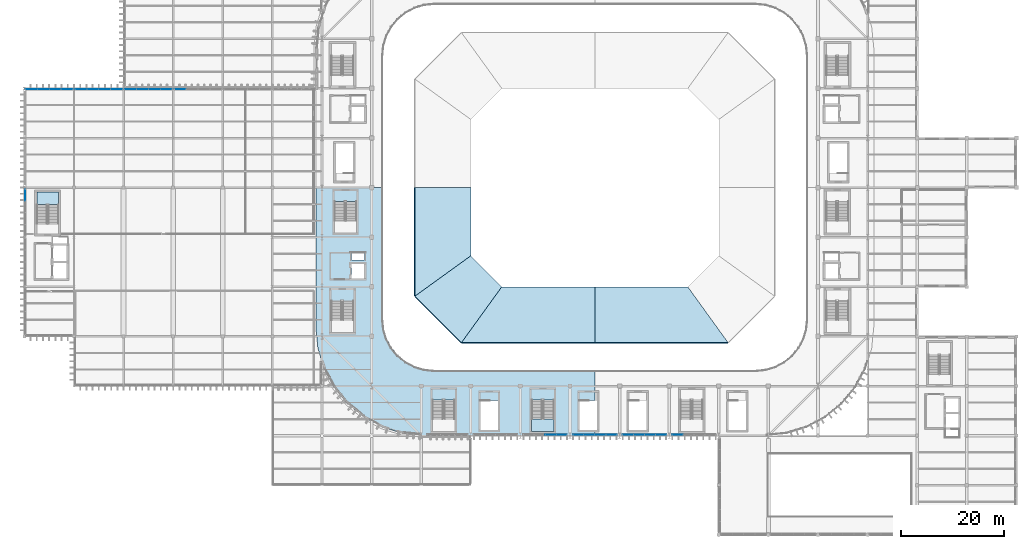
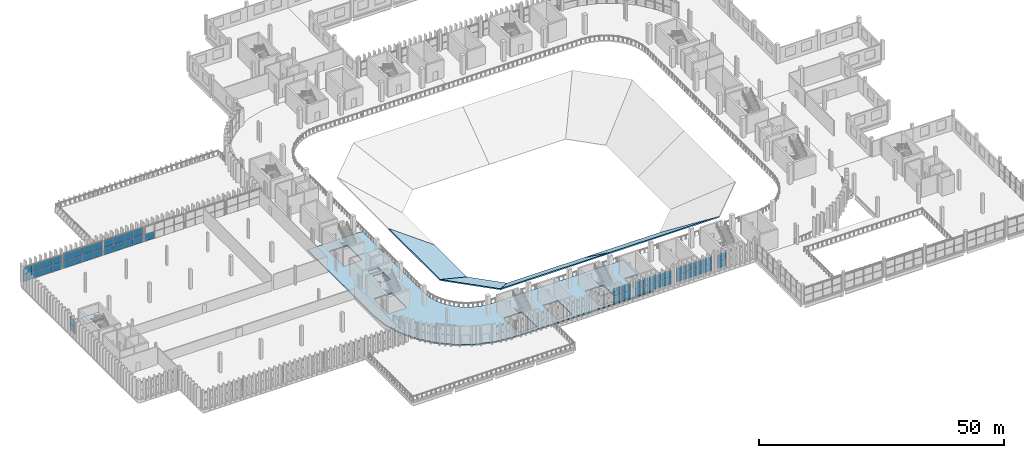
# One storey, part 51 of 99: 49 plates, 7 slabs, 11 elements without a shape of their own.
"""IFC4 building model written with IfcOpenShell, lengths in metres."""

from ifc_helpers import new_model, si_unit, direction, frame, origin, origin_2d, place, context, subcontext, project, spatial, polyline, rectangle, outline, extrude, material, layer, layer_set, type_object, element, aggregate, save


model = new_model("IFC4")

# Units and contexts
model_context = context("Model", 3, precision=1e-05, world=origin(), true_north=direction((0.0, 1.0)))
body_context = subcontext(model_context, "Body", "Model", "MODEL_VIEW")
ifc_project = project(units=[si_unit("LENGTHUNIT", "METRE"), si_unit("AREAUNIT", "SQUARE_METRE"), si_unit("VOLUMEUNIT", "CUBIC_METRE"), si_unit("PLANEANGLEUNIT", "RADIAN"), si_unit("MASSUNIT", "GRAM", prefix="KILO")], contexts=[model_context])

# Site, building, storey
site_placement = place(None, origin())
site = spatial("IfcSite", under=ifc_project, at=site_placement, CompositionType="ELEMENT")
building_placement = place(site_placement, origin())
building = spatial("IfcBuilding", under=site, at=building_placement, Name="Caelomonte Colonnade Arena", CompositionType="ELEMENT")
storey_placement = place(building_placement, frame((0.0, 0.0, 4.800048828125)))
storey = spatial("IfcBuildingStorey", under=building, at=storey_placement, Name="L01", CompositionType="ELEMENT", Elevation=4.800048828125)

# Curtain wall, plates
ifc_material_1 = material(Name="Bronze anodised aluminium and low-E glazing", Category="aluminium")
ifc_layer_1 = layer(ifc_material_1, 0.179931640625)
ifc_layer_set_1 = layer_set([ifc_layer_1], Name="Bronze anodised aluminium and low-E glazing")
curtain_wall_type_1 = type_object("IfcCurtainWallType", Name="ENV-CW-CW-L01-96-36", PredefinedType="USERDEFINED", material=ifc_layer_set_1)
curtain_wall_1_placement = place(storey_placement, origin())
curtain_wall_1 = element("IfcCurtainWall", 1, at=curtain_wall_1_placement, inside=storey, type_object=curtain_wall_type_1, Name="L01 unitized curtain wall CW-L01-1008-0194", ObjectType="UNITIZED CURTAIN WALL", PredefinedType="USERDEFINED")
ifc_material_2 = material(Name="Solar-control bronze low-E double glazing", Category="glass")
ifc_layer_2 = layer(ifc_material_2, 0.028076171875)
ifc_layer_set_2 = layer_set([ifc_layer_2], Name="Solar-control bronze low-E double glazing")
plate_type = type_object("IfcPlateType", Name="ENV-CW-PAN28", PredefinedType="CURTAIN_PANEL", material=ifc_layer_set_2)
plate_1_placement = place(storey_placement, frame((101.86865234375, 19.3798828125, 0.070068359375), z_axis=(0.0, 0.0, 1.0), x_axis=(1.0, 0.0, 0.0)))
plate_1 = element("IfcPlate", 2, at=plate_1_placement, type_object=plate_type, Name="CW-L01-96-36 panel 3.1", PredefinedType="CURTAIN_PANEL", context=body_context, shape_type="SweptSolid", body=[
    extrude(rectangle(XDim=2.067138671875, YDim=0.028076171875, at=origin_2d()), origin(), (0.0, 0.0, 1.0), 1.69140625),
])
plate_2_placement = place(storey_placement, frame((101.86865234375, 19.3798828125, 1.83154296875), z_axis=(0.0, 0.0, 1.0), x_axis=(1.0, 0.0, 0.0)))
plate_2 = element("IfcPlate", 3, at=plate_2_placement, type_object=plate_type, Name="CW-L01-96-36 panel 3.2", PredefinedType="CURTAIN_PANEL", context=body_context, shape_type="SweptSolid", body=[
    extrude(rectangle(XDim=2.067138671875, YDim=0.028076171875, at=origin_2d()), origin(), (0.0, 0.0, 1.0), 1.69140625),
])
plate_3_placement = place(storey_placement, frame((103.98828125, 19.3798828125, 0.070068359375), z_axis=(0.0, 0.0, 1.0), x_axis=(1.0, 0.0, 0.0)))
plate_3 = element("IfcPlate", 4, at=plate_3_placement, type_object=plate_type, Name="CW-L01-96-36 panel 4.1", PredefinedType="CURTAIN_PANEL", context=body_context, shape_type="SweptSolid", body=[
    extrude(rectangle(XDim=2.0322265625, YDim=0.028076171875, at=origin_2d()), origin(), (0.0, 0.0, 1.0), 1.69140625),
])
plate_4_placement = place(storey_placement, frame((103.98828125, 19.3798828125, 1.83154296875), z_axis=(0.0, 0.0, 1.0), x_axis=(1.0, 0.0, 0.0)))
plate_4 = element("IfcPlate", 5, at=plate_4_placement, type_object=plate_type, Name="CW-L01-96-36 panel 4.2", PredefinedType="CURTAIN_PANEL", context=body_context, shape_type="SweptSolid", body=[
    extrude(rectangle(XDim=2.0322265625, YDim=0.028076171875, at=origin_2d()), origin(), (0.0, 0.0, 1.0), 1.69140625),
])
aggregate(curtain_wall_1, [plate_1, plate_2, plate_3, plate_4])

curtain_wall_2_placement = place(storey_placement, origin())
curtain_wall_2 = element("IfcCurtainWall", 6, at=curtain_wall_2_placement, inside=storey, type_object=curtain_wall_type_1, Name="L01 unitized curtain wall CW-L01-1104-0194", ObjectType="UNITIZED CURTAIN WALL", PredefinedType="USERDEFINED")
plate_5_placement = place(storey_placement, frame((107.211669921875, 19.3798828125, 0.070068359375), z_axis=(0.0, 0.0, 1.0), x_axis=(1.0, 0.0, 0.0)))
plate_5 = element("IfcPlate", 7, at=plate_5_placement, type_object=plate_type, Name="CW-L01-96-36 panel 1.1", PredefinedType="CURTAIN_PANEL", context=body_context, shape_type="SweptSolid", body=[
    extrude(rectangle(XDim=2.0322265625, YDim=0.028076171875, at=origin_2d()), origin(), (0.0, 0.0, 1.0), 1.69140625),
])
plate_6_placement = place(storey_placement, frame((107.211669921875, 19.3798828125, 1.83154296875), z_axis=(0.0, 0.0, 1.0), x_axis=(1.0, 0.0, 0.0)))
plate_6 = element("IfcPlate", 8, at=plate_6_placement, type_object=plate_type, Name="CW-L01-96-36 panel 1.2", PredefinedType="CURTAIN_PANEL", context=body_context, shape_type="SweptSolid", body=[
    extrude(rectangle(XDim=2.0322265625, YDim=0.028076171875, at=origin_2d()), origin(), (0.0, 0.0, 1.0), 1.69140625),
])
plate_7_placement = place(storey_placement, frame((109.331298828125, 19.3798828125, 0.070068359375), z_axis=(0.0, 0.0, 1.0), x_axis=(1.0, 0.0, 0.0)))
plate_7 = element("IfcPlate", 9, at=plate_7_placement, type_object=plate_type, Name="CW-L01-96-36 panel 2.1", PredefinedType="CURTAIN_PANEL", context=body_context, shape_type="SweptSolid", body=[
    extrude(rectangle(XDim=2.067138671875, YDim=0.028076171875, at=origin_2d()), origin(), (0.0, 0.0, 1.0), 1.69140625),
])
plate_8_placement = place(storey_placement, frame((109.331298828125, 19.3798828125, 1.83154296875), z_axis=(0.0, 0.0, 1.0), x_axis=(1.0, 0.0, 0.0)))
plate_8 = element("IfcPlate", 10, at=plate_8_placement, type_object=plate_type, Name="CW-L01-96-36 panel 2.2", PredefinedType="CURTAIN_PANEL", context=body_context, shape_type="SweptSolid", body=[
    extrude(rectangle(XDim=2.067138671875, YDim=0.028076171875, at=origin_2d()), origin(), (0.0, 0.0, 1.0), 1.69140625),
])
plate_9_placement = place(storey_placement, frame((111.468505859375, 19.3798828125, 0.070068359375), z_axis=(0.0, 0.0, 1.0), x_axis=(1.0, 0.0, 0.0)))
plate_9 = element("IfcPlate", 11, at=plate_9_placement, type_object=plate_type, Name="CW-L01-96-36 panel 3.1", PredefinedType="CURTAIN_PANEL", context=body_context, shape_type="SweptSolid", body=[
    extrude(rectangle(XDim=2.067138671875, YDim=0.028076171875, at=origin_2d()), origin(), (0.0, 0.0, 1.0), 1.69140625),
])
plate_10_placement = place(storey_placement, frame((111.468505859375, 19.3798828125, 1.83154296875), z_axis=(0.0, 0.0, 1.0), x_axis=(1.0, 0.0, 0.0)))
plate_10 = element("IfcPlate", 12, at=plate_10_placement, type_object=plate_type, Name="CW-L01-96-36 panel 3.2", PredefinedType="CURTAIN_PANEL", context=body_context, shape_type="SweptSolid", body=[
    extrude(rectangle(XDim=2.067138671875, YDim=0.028076171875, at=origin_2d()), origin(), (0.0, 0.0, 1.0), 1.69140625),
])
plate_11_placement = place(storey_placement, frame((113.58837890625, 19.3798828125, 0.070068359375), z_axis=(0.0, 0.0, 1.0), x_axis=(1.0, 0.0, 0.0)))
plate_11 = element("IfcPlate", 13, at=plate_11_placement, type_object=plate_type, Name="CW-L01-96-36 panel 4.1", PredefinedType="CURTAIN_PANEL", context=body_context, shape_type="SweptSolid", body=[
    extrude(rectangle(XDim=2.0322265625, YDim=0.028076171875, at=origin_2d()), origin(), (0.0, 0.0, 1.0), 1.69140625),
])
plate_12_placement = place(storey_placement, frame((113.58837890625, 19.3798828125, 1.83154296875), z_axis=(0.0, 0.0, 1.0), x_axis=(1.0, 0.0, 0.0)))
plate_12 = element("IfcPlate", 14, at=plate_12_placement, type_object=plate_type, Name="CW-L01-96-36 panel 4.2", PredefinedType="CURTAIN_PANEL", context=body_context, shape_type="SweptSolid", body=[
    extrude(rectangle(XDim=2.0322265625, YDim=0.028076171875, at=origin_2d()), origin(), (0.0, 0.0, 1.0), 1.69140625),
])
aggregate(curtain_wall_2, [plate_5, plate_6, plate_7, plate_8, plate_9, plate_10, plate_11, plate_12])

curtain_wall_3_placement = place(storey_placement, origin())
curtain_wall_3 = element("IfcCurtainWall", 15, at=curtain_wall_3_placement, inside=storey, type_object=curtain_wall_type_1, Name="L01 unitized curtain wall CW-L01-1200-0194", ObjectType="UNITIZED CURTAIN WALL", PredefinedType="USERDEFINED")
plate_13_placement = place(storey_placement, frame((116.8115234375, 19.3798828125, 0.070068359375), z_axis=(0.0, 0.0, 1.0), x_axis=(1.0, 0.0, 0.0)))
plate_13 = element("IfcPlate", 16, at=plate_13_placement, type_object=plate_type, Name="CW-L01-96-36 panel 1.1", PredefinedType="CURTAIN_PANEL", context=body_context, shape_type="SweptSolid", body=[
    extrude(rectangle(XDim=2.0322265625, YDim=0.028076171875, at=origin_2d()), origin(), (0.0, 0.0, 1.0), 1.69140625),
])
plate_14_placement = place(storey_placement, frame((116.8115234375, 19.3798828125, 1.83154296875), z_axis=(0.0, 0.0, 1.0), x_axis=(1.0, 0.0, 0.0)))
plate_14 = element("IfcPlate", 17, at=plate_14_placement, type_object=plate_type, Name="CW-L01-96-36 panel 1.2", PredefinedType="CURTAIN_PANEL", context=body_context, shape_type="SweptSolid", body=[
    extrude(rectangle(XDim=2.0322265625, YDim=0.028076171875, at=origin_2d()), origin(), (0.0, 0.0, 1.0), 1.69140625),
])
plate_15_placement = place(storey_placement, frame((118.931396484375, 19.3798828125, 0.070068359375), z_axis=(0.0, 0.0, 1.0), x_axis=(1.0, 0.0, 0.0)))
plate_15 = element("IfcPlate", 18, at=plate_15_placement, type_object=plate_type, Name="CW-L01-96-36 panel 2.1", PredefinedType="CURTAIN_PANEL", context=body_context, shape_type="SweptSolid", body=[
    extrude(rectangle(XDim=2.067138671875, YDim=0.028076171875, at=origin_2d()), origin(), (0.0, 0.0, 1.0), 1.69140625),
])
plate_16_placement = place(storey_placement, frame((118.931396484375, 19.3798828125, 1.83154296875), z_axis=(0.0, 0.0, 1.0), x_axis=(1.0, 0.0, 0.0)))
plate_16 = element("IfcPlate", 19, at=plate_16_placement, type_object=plate_type, Name="CW-L01-96-36 panel 2.2", PredefinedType="CURTAIN_PANEL", context=body_context, shape_type="SweptSolid", body=[
    extrude(rectangle(XDim=2.067138671875, YDim=0.028076171875, at=origin_2d()), origin(), (0.0, 0.0, 1.0), 1.69140625),
])
plate_17_placement = place(storey_placement, frame((121.068603515625, 19.3798828125, 0.070068359375), z_axis=(0.0, 0.0, 1.0), x_axis=(1.0, 0.0, 0.0)))
plate_17 = element("IfcPlate", 20, at=plate_17_placement, type_object=plate_type, Name="CW-L01-96-36 panel 3.1", PredefinedType="CURTAIN_PANEL", context=body_context, shape_type="SweptSolid", body=[
    extrude(rectangle(XDim=2.067138671875, YDim=0.028076171875, at=origin_2d()), origin(), (0.0, 0.0, 1.0), 1.69140625),
])
plate_18_placement = place(storey_placement, frame((121.068603515625, 19.3798828125, 1.83154296875), z_axis=(0.0, 0.0, 1.0), x_axis=(1.0, 0.0, 0.0)))
plate_18 = element("IfcPlate", 21, at=plate_18_placement, type_object=plate_type, Name="CW-L01-96-36 panel 3.2", PredefinedType="CURTAIN_PANEL", context=body_context, shape_type="SweptSolid", body=[
    extrude(rectangle(XDim=2.067138671875, YDim=0.028076171875, at=origin_2d()), origin(), (0.0, 0.0, 1.0), 1.69140625),
])
plate_19_placement = place(storey_placement, frame((123.1884765625, 19.3798828125, 0.070068359375), z_axis=(0.0, 0.0, 1.0), x_axis=(1.0, 0.0, 0.0)))
plate_19 = element("IfcPlate", 22, at=plate_19_placement, type_object=plate_type, Name="CW-L01-96-36 panel 4.1", PredefinedType="CURTAIN_PANEL", context=body_context, shape_type="SweptSolid", body=[
    extrude(rectangle(XDim=2.0322265625, YDim=0.028076171875, at=origin_2d()), origin(), (0.0, 0.0, 1.0), 1.69140625),
])
plate_20_placement = place(storey_placement, frame((123.1884765625, 19.3798828125, 1.83154296875), z_axis=(0.0, 0.0, 1.0), x_axis=(1.0, 0.0, 0.0)))
plate_20 = element("IfcPlate", 23, at=plate_20_placement, type_object=plate_type, Name="CW-L01-96-36 panel 4.2", PredefinedType="CURTAIN_PANEL", context=body_context, shape_type="SweptSolid", body=[
    extrude(rectangle(XDim=2.0322265625, YDim=0.028076171875, at=origin_2d()), origin(), (0.0, 0.0, 1.0), 1.69140625),
])
aggregate(curtain_wall_3, [plate_13, plate_14, plate_15, plate_16, plate_17, plate_18, plate_19, plate_20])

curtain_wall_4_placement = place(storey_placement, origin())
curtain_wall_4 = element("IfcCurtainWall", 24, at=curtain_wall_4_placement, inside=storey, type_object=curtain_wall_type_1, Name="L01 unitized curtain wall CW-L01-1296-0194", ObjectType="UNITIZED CURTAIN WALL", PredefinedType="USERDEFINED")
plate_21_placement = place(storey_placement, frame((126.41162109375, 19.3798828125, 0.070068359375), z_axis=(0.0, 0.0, 1.0), x_axis=(1.0, 0.0, 0.0)))
plate_21 = element("IfcPlate", 25, at=plate_21_placement, type_object=plate_type, Name="CW-L01-96-36 panel 1.1", PredefinedType="CURTAIN_PANEL", context=body_context, shape_type="SweptSolid", body=[
    extrude(rectangle(XDim=2.0322265625, YDim=0.028076171875, at=origin_2d()), origin(), (0.0, 0.0, 1.0), 1.69140625),
])
plate_22_placement = place(storey_placement, frame((126.41162109375, 19.3798828125, 1.83154296875), z_axis=(0.0, 0.0, 1.0), x_axis=(1.0, 0.0, 0.0)))
plate_22 = element("IfcPlate", 26, at=plate_22_placement, type_object=plate_type, Name="CW-L01-96-36 panel 1.2", PredefinedType="CURTAIN_PANEL", context=body_context, shape_type="SweptSolid", body=[
    extrude(rectangle(XDim=2.0322265625, YDim=0.028076171875, at=origin_2d()), origin(), (0.0, 0.0, 1.0), 1.69140625),
])
aggregate(curtain_wall_4, [plate_21, plate_22])

# Curtain wall, plate
ifc_layer_3 = layer(ifc_material_1, 0.179931640625)
ifc_layer_set_3 = layer_set([ifc_layer_3], Name="Bronze anodised aluminium and low-E glazing")
curtain_wall_type_2 = type_object("IfcCurtainWallType", Name="ENV-CW-CW-L01-96-38", PredefinedType="USERDEFINED", material=ifc_layer_set_3)
curtain_wall_5_placement = place(storey_placement, origin())
curtain_wall_5 = element("IfcCurtainWall", 27, at=curtain_wall_5_placement, inside=storey, type_object=curtain_wall_type_2, Name="L01 unitized curtain wall CW-L01-0336-0862", ObjectType="UNITIZED CURTAIN WALL", PredefinedType="USERDEFINED")
plate_23_placement = place(storey_placement, frame((30.16943359375, 86.219970703125, 0.06494140625), z_axis=(0.0, 0.0, 1.0), x_axis=(-1.0, 0.0, 0.0)))
plate_23 = element("IfcPlate", 28, at=plate_23_placement, type_object=plate_type, Name="CW-L01-96-38 panel 4.1", PredefinedType="CURTAIN_PANEL", context=body_context, shape_type="SweptSolid", body=[
    extrude(rectangle(XDim=2.2001953125, YDim=0.028076171875, at=origin_2d()), origin(), (0.0, 0.0, 1.0), 1.781494140625),
])
aggregate(curtain_wall_5, [plate_23])

# Curtain wall, plates
curtain_wall_6_placement = place(storey_placement, origin())
curtain_wall_6 = element("IfcCurtainWall", 29, at=curtain_wall_6_placement, inside=storey, type_object=curtain_wall_type_2, Name="L01 unitized curtain wall CW-L01-0240-0862", ObjectType="UNITIZED CURTAIN WALL", PredefinedType="USERDEFINED")
plate_24_placement = place(storey_placement, frame((27.430419921875, 86.219970703125, 0.06494140625), z_axis=(0.0, 0.0, 1.0), x_axis=(-1.0, 0.0, 0.0)))
plate_24 = element("IfcPlate", 30, at=plate_24_placement, type_object=plate_type, Name="CW-L01-96-38 panel 1.1", PredefinedType="CURTAIN_PANEL", context=body_context, shape_type="SweptSolid", body=[
    extrude(rectangle(XDim=2.2001953125, YDim=0.028076171875, at=origin_2d()), origin(), (0.0, 0.0, 1.0), 1.781494140625),
])
plate_25_placement = place(storey_placement, frame((27.430419921875, 86.219970703125, 1.91162109375), z_axis=(0.0, 0.0, 1.0), x_axis=(-1.0, 0.0, 0.0)))
plate_25 = element("IfcPlate", 31, at=plate_25_placement, type_object=plate_type, Name="CW-L01-96-38 panel 1.2", PredefinedType="CURTAIN_PANEL", context=body_context, shape_type="SweptSolid", body=[
    extrude(rectangle(XDim=2.2001953125, YDim=0.028076171875, at=origin_2d()), origin(), (0.0, 0.0, 1.0), 1.781494140625),
])
plate_26_placement = place(storey_placement, frame((25.14892578125, 86.219970703125, 0.06494140625), z_axis=(0.0, 0.0, 1.0), x_axis=(-1.0, 0.0, 0.0)))
plate_26 = element("IfcPlate", 32, at=plate_26_placement, type_object=plate_type, Name="CW-L01-96-38 panel 2.1", PredefinedType="CURTAIN_PANEL", context=body_context, shape_type="SweptSolid", body=[
    extrude(rectangle(XDim=2.23291015625, YDim=0.028076171875, at=origin_2d()), origin(), (0.0, 0.0, 1.0), 1.781494140625),
])
plate_27_placement = place(storey_placement, frame((25.14892578125, 86.219970703125, 1.91162109375), z_axis=(0.0, 0.0, 1.0), x_axis=(-1.0, 0.0, 0.0)))
plate_27 = element("IfcPlate", 33, at=plate_27_placement, type_object=plate_type, Name="CW-L01-96-38 panel 2.2", PredefinedType="CURTAIN_PANEL", context=body_context, shape_type="SweptSolid", body=[
    extrude(rectangle(XDim=2.23291015625, YDim=0.028076171875, at=origin_2d()), origin(), (0.0, 0.0, 1.0), 1.781494140625),
])
plate_28_placement = place(storey_placement, frame((22.85107421875, 86.219970703125, 0.06494140625), z_axis=(0.0, 0.0, 1.0), x_axis=(-1.0, 0.0, 0.0)))
plate_28 = element("IfcPlate", 34, at=plate_28_placement, type_object=plate_type, Name="CW-L01-96-38 panel 3.1", PredefinedType="CURTAIN_PANEL", context=body_context, shape_type="SweptSolid", body=[
    extrude(rectangle(XDim=2.23291015625, YDim=0.028076171875, at=origin_2d()), origin(), (0.0, 0.0, 1.0), 1.781494140625),
])
plate_29_placement = place(storey_placement, frame((22.85107421875, 86.219970703125, 1.91162109375), z_axis=(0.0, 0.0, 1.0), x_axis=(-1.0, 0.0, 0.0)))
plate_29 = element("IfcPlate", 35, at=plate_29_placement, type_object=plate_type, Name="CW-L01-96-38 panel 3.2", PredefinedType="CURTAIN_PANEL", context=body_context, shape_type="SweptSolid", body=[
    extrude(rectangle(XDim=2.23291015625, YDim=0.028076171875, at=origin_2d()), origin(), (0.0, 0.0, 1.0), 1.781494140625),
])
plate_30_placement = place(storey_placement, frame((20.569580078125, 86.219970703125, 0.06494140625), z_axis=(0.0, 0.0, 1.0), x_axis=(-1.0, 0.0, 0.0)))
plate_30 = element("IfcPlate", 36, at=plate_30_placement, type_object=plate_type, Name="CW-L01-96-38 panel 4.1", PredefinedType="CURTAIN_PANEL", context=body_context, shape_type="SweptSolid", body=[
    extrude(rectangle(XDim=2.2001953125, YDim=0.028076171875, at=origin_2d()), origin(), (0.0, 0.0, 1.0), 1.781494140625),
])
plate_31_placement = place(storey_placement, frame((20.569580078125, 86.219970703125, 1.91162109375), z_axis=(0.0, 0.0, 1.0), x_axis=(-1.0, 0.0, 0.0)))
plate_31 = element("IfcPlate", 37, at=plate_31_placement, type_object=plate_type, Name="CW-L01-96-38 panel 4.2", PredefinedType="CURTAIN_PANEL", context=body_context, shape_type="SweptSolid", body=[
    extrude(rectangle(XDim=2.2001953125, YDim=0.028076171875, at=origin_2d()), origin(), (0.0, 0.0, 1.0), 1.781494140625),
])
aggregate(curtain_wall_6, [plate_24, plate_25, plate_26, plate_27, plate_28, plate_29, plate_30, plate_31])

curtain_wall_7_placement = place(storey_placement, origin())
curtain_wall_7 = element("IfcCurtainWall", 38, at=curtain_wall_7_placement, inside=storey, type_object=curtain_wall_type_2, Name="L01 unitized curtain wall CW-L01-0144-0862", ObjectType="UNITIZED CURTAIN WALL", PredefinedType="USERDEFINED")
plate_32_placement = place(storey_placement, frame((17.83056640625, 86.219970703125, 0.06494140625), z_axis=(0.0, 0.0, 1.0), x_axis=(-1.0, 0.0, 0.0)))
plate_32 = element("IfcPlate", 39, at=plate_32_placement, type_object=plate_type, Name="CW-L01-96-38 panel 1.1", PredefinedType="CURTAIN_PANEL", context=body_context, shape_type="SweptSolid", body=[
    extrude(rectangle(XDim=2.2001953125, YDim=0.028076171875, at=origin_2d()), origin(), (0.0, 0.0, 1.0), 1.781494140625),
])
plate_33_placement = place(storey_placement, frame((17.83056640625, 86.219970703125, 1.91162109375), z_axis=(0.0, 0.0, 1.0), x_axis=(-1.0, 0.0, 0.0)))
plate_33 = element("IfcPlate", 40, at=plate_33_placement, type_object=plate_type, Name="CW-L01-96-38 panel 1.2", PredefinedType="CURTAIN_PANEL", context=body_context, shape_type="SweptSolid", body=[
    extrude(rectangle(XDim=2.2001953125, YDim=0.028076171875, at=origin_2d()), origin(), (0.0, 0.0, 1.0), 1.781494140625),
])
plate_34_placement = place(storey_placement, frame((15.548828125, 86.219970703125, 0.06494140625), z_axis=(0.0, 0.0, 1.0), x_axis=(-1.0, 0.0, 0.0)))
plate_34 = element("IfcPlate", 41, at=plate_34_placement, type_object=plate_type, Name="CW-L01-96-38 panel 2.1", PredefinedType="CURTAIN_PANEL", context=body_context, shape_type="SweptSolid", body=[
    extrude(rectangle(XDim=2.23291015625, YDim=0.028076171875, at=origin_2d()), origin(), (0.0, 0.0, 1.0), 1.781494140625),
])
plate_35_placement = place(storey_placement, frame((15.548828125, 86.219970703125, 1.91162109375), z_axis=(0.0, 0.0, 1.0), x_axis=(-1.0, 0.0, 0.0)))
plate_35 = element("IfcPlate", 42, at=plate_35_placement, type_object=plate_type, Name="CW-L01-96-38 panel 2.2", PredefinedType="CURTAIN_PANEL", context=body_context, shape_type="SweptSolid", body=[
    extrude(rectangle(XDim=2.23291015625, YDim=0.028076171875, at=origin_2d()), origin(), (0.0, 0.0, 1.0), 1.781494140625),
])
plate_36_placement = place(storey_placement, frame((13.251220703125, 86.219970703125, 0.06494140625), z_axis=(0.0, 0.0, 1.0), x_axis=(-1.0, 0.0, 0.0)))
plate_36 = element("IfcPlate", 43, at=plate_36_placement, type_object=plate_type, Name="CW-L01-96-38 panel 3.1", PredefinedType="CURTAIN_PANEL", context=body_context, shape_type="SweptSolid", body=[
    extrude(rectangle(XDim=2.23291015625, YDim=0.028076171875, at=origin_2d()), origin(), (0.0, 0.0, 1.0), 1.781494140625),
])
plate_37_placement = place(storey_placement, frame((13.251220703125, 86.219970703125, 1.91162109375), z_axis=(0.0, 0.0, 1.0), x_axis=(-1.0, 0.0, 0.0)))
plate_37 = element("IfcPlate", 44, at=plate_37_placement, type_object=plate_type, Name="CW-L01-96-38 panel 3.2", PredefinedType="CURTAIN_PANEL", context=body_context, shape_type="SweptSolid", body=[
    extrude(rectangle(XDim=2.23291015625, YDim=0.028076171875, at=origin_2d()), origin(), (0.0, 0.0, 1.0), 1.781494140625),
])
plate_38_placement = place(storey_placement, frame((10.969482421875, 86.219970703125, 0.06494140625), z_axis=(0.0, 0.0, 1.0), x_axis=(-1.0, 0.0, 0.0)))
plate_38 = element("IfcPlate", 45, at=plate_38_placement, type_object=plate_type, Name="CW-L01-96-38 panel 4.1", PredefinedType="CURTAIN_PANEL", context=body_context, shape_type="SweptSolid", body=[
    extrude(rectangle(XDim=2.2001953125, YDim=0.028076171875, at=origin_2d()), origin(), (0.0, 0.0, 1.0), 1.781494140625),
])
plate_39_placement = place(storey_placement, frame((10.969482421875, 86.219970703125, 1.91162109375), z_axis=(0.0, 0.0, 1.0), x_axis=(-1.0, 0.0, 0.0)))
plate_39 = element("IfcPlate", 46, at=plate_39_placement, type_object=plate_type, Name="CW-L01-96-38 panel 4.2", PredefinedType="CURTAIN_PANEL", context=body_context, shape_type="SweptSolid", body=[
    extrude(rectangle(XDim=2.2001953125, YDim=0.028076171875, at=origin_2d()), origin(), (0.0, 0.0, 1.0), 1.781494140625),
])
aggregate(curtain_wall_7, [plate_32, plate_33, plate_34, plate_35, plate_36, plate_37, plate_38, plate_39])

curtain_wall_8_placement = place(storey_placement, origin())
curtain_wall_8 = element("IfcCurtainWall", 47, at=curtain_wall_8_placement, inside=storey, type_object=curtain_wall_type_1, Name="L01 unitized curtain wall CW-L01-0048-0862", ObjectType="UNITIZED CURTAIN WALL", PredefinedType="USERDEFINED")
plate_40_placement = place(storey_placement, frame((8.23046875, 86.219970703125, 0.06494140625), z_axis=(0.0, 0.0, 1.0), x_axis=(-1.0, 0.0, 0.0)))
plate_40 = element("IfcPlate", 48, at=plate_40_placement, type_object=plate_type, Name="CW-L01-96-36 panel 1.1", PredefinedType="CURTAIN_PANEL", context=body_context, shape_type="SweptSolid", body=[
    extrude(rectangle(XDim=2.2001953125, YDim=0.028076171875, at=origin_2d()), origin(), (0.0, 0.0, 1.0), 1.698974609375),
])
plate_41_placement = place(storey_placement, frame((8.23046875, 86.219970703125, 1.8291015625), z_axis=(0.0, 0.0, 1.0), x_axis=(-1.0, 0.0, 0.0)))
plate_41 = element("IfcPlate", 49, at=plate_41_placement, type_object=plate_type, Name="CW-L01-96-36 panel 1.2", PredefinedType="CURTAIN_PANEL", context=body_context, shape_type="SweptSolid", body=[
    extrude(rectangle(XDim=2.2001953125, YDim=0.028076171875, at=origin_2d()), origin(), (0.0, 0.0, 1.0), 1.698974609375),
])
plate_42_placement = place(storey_placement, frame((5.948974609375, 86.219970703125, 0.06494140625), z_axis=(0.0, 0.0, 1.0), x_axis=(-1.0, 0.0, 0.0)))
plate_42 = element("IfcPlate", 50, at=plate_42_placement, type_object=plate_type, Name="CW-L01-96-36 panel 2.1", PredefinedType="CURTAIN_PANEL", context=body_context, shape_type="SweptSolid", body=[
    extrude(rectangle(XDim=2.23291015625, YDim=0.028076171875, at=origin_2d()), origin(), (0.0, 0.0, 1.0), 1.698974609375),
])
plate_43_placement = place(storey_placement, frame((5.948974609375, 86.219970703125, 1.8291015625), z_axis=(0.0, 0.0, 1.0), x_axis=(-1.0, 0.0, 0.0)))
plate_43 = element("IfcPlate", 51, at=plate_43_placement, type_object=plate_type, Name="CW-L01-96-36 panel 2.2", PredefinedType="CURTAIN_PANEL", context=body_context, shape_type="SweptSolid", body=[
    extrude(rectangle(XDim=2.23291015625, YDim=0.028076171875, at=origin_2d()), origin(), (0.0, 0.0, 1.0), 1.698974609375),
])
plate_44_placement = place(storey_placement, frame((3.651123046875, 86.219970703125, 0.06494140625), z_axis=(0.0, 0.0, 1.0), x_axis=(-1.0, 0.0, 0.0)))
plate_44 = element("IfcPlate", 52, at=plate_44_placement, type_object=plate_type, Name="CW-L01-96-36 panel 3.1", PredefinedType="CURTAIN_PANEL", context=body_context, shape_type="SweptSolid", body=[
    extrude(rectangle(XDim=2.23291015625, YDim=0.028076171875, at=origin_2d()), origin(), (0.0, 0.0, 1.0), 1.698974609375),
])
plate_45_placement = place(storey_placement, frame((3.651123046875, 86.219970703125, 1.8291015625), z_axis=(0.0, 0.0, 1.0), x_axis=(-1.0, 0.0, 0.0)))
plate_45 = element("IfcPlate", 53, at=plate_45_placement, type_object=plate_type, Name="CW-L01-96-36 panel 3.2", PredefinedType="CURTAIN_PANEL", context=body_context, shape_type="SweptSolid", body=[
    extrude(rectangle(XDim=2.23291015625, YDim=0.028076171875, at=origin_2d()), origin(), (0.0, 0.0, 1.0), 1.698974609375),
])
plate_46_placement = place(storey_placement, frame((1.36962890625, 86.219970703125, 0.06494140625), z_axis=(0.0, 0.0, 1.0), x_axis=(-1.0, 0.0, 0.0)))
plate_46 = element("IfcPlate", 54, at=plate_46_placement, type_object=plate_type, Name="CW-L01-96-36 panel 4.1", PredefinedType="CURTAIN_PANEL", context=body_context, shape_type="SweptSolid", body=[
    extrude(rectangle(XDim=2.2001953125, YDim=0.028076171875, at=origin_2d()), origin(), (0.0, 0.0, 1.0), 1.698974609375),
])
plate_47_placement = place(storey_placement, frame((1.36962890625, 86.219970703125, 1.8291015625), z_axis=(0.0, 0.0, 1.0), x_axis=(-1.0, 0.0, 0.0)))
plate_47 = element("IfcPlate", 55, at=plate_47_placement, type_object=plate_type, Name="CW-L01-96-36 panel 4.2", PredefinedType="CURTAIN_PANEL", context=body_context, shape_type="SweptSolid", body=[
    extrude(rectangle(XDim=2.2001953125, YDim=0.028076171875, at=origin_2d()), origin(), (0.0, 0.0, 1.0), 1.698974609375),
])
aggregate(curtain_wall_8, [plate_40, plate_41, plate_42, plate_43, plate_44, plate_45, plate_46, plate_47])

curtain_wall_9_placement = place(storey_placement, origin())
curtain_wall_9 = element("IfcCurtainWall", 56, at=curtain_wall_9_placement, inside=storey, type_object=curtain_wall_type_1, Name="L01 unitized curtain wall CW-L01-0002-0624", ObjectType="UNITIZED CURTAIN WALL", PredefinedType="USERDEFINED")
plate_48_placement = place(storey_placement, frame((0.179931640625, 65.729248046875, 0.06494140625), z_axis=(0.0, 0.0, 1.0), x_axis=(0.0, -1.0, 0.0)))
plate_48 = element("IfcPlate", 57, at=plate_48_placement, type_object=plate_type, Name="CW-L01-96-36 panel 1.1", PredefinedType="CURTAIN_PANEL", context=body_context, shape_type="SweptSolid", body=[
    extrude(rectangle(XDim=2.17138671875, YDim=0.028076171875, at=origin_2d()), origin(), (0.0, 0.0, 1.0), 1.698974609375),
])
plate_49_placement = place(storey_placement, frame((0.179931640625, 65.729248046875, 1.8291015625), z_axis=(0.0, 0.0, 1.0), x_axis=(0.0, -1.0, 0.0)))
plate_49 = element("IfcPlate", 58, at=plate_49_placement, type_object=plate_type, Name="CW-L01-96-36 panel 1.2", PredefinedType="CURTAIN_PANEL", context=body_context, shape_type="SweptSolid", body=[
    extrude(rectangle(XDim=2.17138671875, YDim=0.028076171875, at=origin_2d()), origin(), (0.0, 0.0, 1.0), 1.698974609375),
])
aggregate(curtain_wall_9, [plate_48, plate_49])

# Stair, slab
ifc_material_3 = material(Name="Concrete C40/50", Category="concrete")
stair_type_1 = type_object("IfcStairType", Name="INT-ST-WING48", PredefinedType="HALF_TURN_STAIR", material=ifc_material_3)
stair_1_placement = place(storey_placement, origin())
stair_1 = element("IfcStair", 59, at=stair_1_placement, inside=storey, type_object=stair_type_1, Name="L01 Core C8 exit stair ST-08", PredefinedType="HALF_TURN_STAIR")
ifc_layer_4 = layer(ifc_material_3, 0.199951171875)
ifc_layer_set_4 = layer_set([ifc_layer_4], Name="Concrete C40/50")
slab_type_1 = type_object("IfcSlabType", Name="INT-SL-LAND20", PredefinedType="LANDING", material=ifc_layer_set_4)
slab_1_placement = place(storey_placement, frame((0.0, 0.0, 2.199951171875)))
slab_1 = element("IfcSlab", 60, at=slab_1_placement, type_object=slab_type_1, Name="ST-08 landing 1", PredefinedType="LANDING", context=body_context, shape_type="SweptSolid", body=[
    extrude(outline(polyline([(6.60009765625, 63.905029296875), (6.60009765625, 66.35009765625), (2.39990234375, 66.35009765625), (2.39990234375, 63.905029296875), (6.60009765625, 63.905029296875)])), origin(), (0.0, 0.0, 1.0), 0.199951171875),
])
aggregate(stair_1, [slab_1])

stair_type_2 = type_object("IfcStairType", Name="INT-ST-CORE48", PredefinedType="HALF_TURN_STAIR", material=ifc_material_3)
stair_2_placement = place(storey_placement, origin())
stair_2 = element("IfcStair", 61, at=stair_2_placement, inside=storey, type_object=stair_type_2, Name="L01 Protected exit stair ST-12", PredefinedType="HALF_TURN_STAIR")
slab_2_placement = place(storey_placement, frame((0.0, 0.0, 2.199951171875)))
slab_2 = element("IfcSlab", 62, at=slab_2_placement, type_object=slab_type_1, Name="ST-12 landing 1", PredefinedType="LANDING", context=body_context, shape_type="SweptSolid", body=[
    extrude(outline(polyline([(98.199951171875, 22.39501953125), (98.199951171875, 20.0), (102.5, 20.0), (102.5, 22.39501953125), (98.199951171875, 22.39501953125)])), origin(), (0.0, 0.0, 1.0), 0.199951171875),
])
aggregate(stair_2, [slab_2])

# Slabs
ifc_layer_5 = layer(ifc_material_3, 0.300048828125)
ifc_layer_set_5 = layer_set([ifc_layer_5], Name="Concrete C40/50")
slab_type_2 = type_object("IfcSlabType", Name="STR-SL-FLR30", PredefinedType="FLOOR", material=ifc_layer_set_5)
slab_3_placement = place(storey_placement, frame((0.0, 0.0, -0.300048828125)))
element("IfcSlab", 63, at=slab_3_placement, inside=storey, type_object=slab_type_2, Name="L01 structural floor slab SL-L01-V1-SW", PredefinedType="FLOOR", context=body_context, shape_type="SweptSolid", body=[
    extrude(outline(polyline([(73.302978515625, 19.603515625), (77.39990234375, 19.199951171875), (110.39990234375, 19.199951171875), (110.39990234375, 20.199951171875), (107.39990234375, 20.199951171875), (107.39990234375, 25.949951171875), (110.39990234375, 25.949951171875), (110.39990234375, 31.800048828125), (79.39990234375, 31.800048828125), (77.44921875, 31.9921875), (75.5732421875, 32.561279296875), (73.84423828125, 33.4853515625), (72.328857421875, 34.72900390625), (71.085205078125, 36.244384765625), (70.1611328125, 37.97314453125), (69.592041015625, 39.84912109375), (69.39990234375, 41.800048828125), (69.39990234375, 67.199951171875), (56.39990234375, 67.199951171875), (56.39990234375, 40.199951171875), (56.803466796875, 36.10302734375), (57.99853515625, 32.16357421875), (59.939208984375, 28.532958984375), (62.55078125, 25.350830078125), (65.73291015625, 22.739013671875), (69.363525390625, 20.798583984375), (73.302978515625, 19.603515625)]), holes=[polyline([(83.300048828125, 26.10009765625), (83.300048828125, 20.0), (79.0, 20.0), (79.0, 26.10009765625), (83.300048828125, 26.10009765625)]), polyline([(63.699951171875, 45.300048828125), (63.699951171875, 39.199951171875), (59.39990234375, 39.199951171875), (59.39990234375, 45.300048828125), (63.699951171875, 45.300048828125)]), polyline([(63.280029296875, 49.580078125), (63.280029296875, 52.419921875), (65.820068359375, 52.419921875), (65.820068359375, 49.580078125), (63.280029296875, 49.580078125)]), polyline([(63.280029296875, 54.419921875), (65.820068359375, 54.419921875), (65.820068359375, 53.179931640625), (63.280029296875, 53.179931640625), (63.280029296875, 54.419921875)]), polyline([(64.300048828125, 58.39990234375), (60.0, 58.39990234375), (60.0, 64.5), (64.300048828125, 64.5), (64.300048828125, 58.39990234375)]), polyline([(102.5, 20.0), (98.199951171875, 20.0), (98.199951171875, 26.10009765625), (102.5, 26.10009765625), (102.5, 20.0)]), polyline([(91.699951171875, 20.199951171875), (88.199951171875, 20.199951171875), (88.199951171875, 25.949951171875), (91.699951171875, 25.949951171875), (91.699951171875, 20.199951171875)])]), origin(), (0.0, 0.0, 1.0), 0.300048828125),
])
ifc_material_4 = material(Name="Precast concrete C40/50", Category="concrete")
ifc_layer_6 = layer(ifc_material_4, 0.239990234375)
ifc_layer_set_6 = layer_set([ifc_layer_6], Name="Precast concrete C40/50")
slab_type_3 = type_object("IfcSlabType", Name="STR-SL-TIER24", PredefinedType="USERDEFINED", material=ifc_layer_set_6)
slab_4_placement = place(storey_placement, frame((92.39990234375, 48.0, -9.300048828125), z_axis=(0.0, 0.588442269699, 0.808539235431), x_axis=(1.0, 0.0, 0.0)))
element("IfcSlab", 64, at=slab_4_placement, inside=storey, type_object=slab_type_3, Name="Stand LOWER bowl seating tier sector S1", ObjectType="SEATING TIER", PredefinedType="USERDEFINED", context=body_context, shape_type="SweptSolid", body=[
    extrude(outline(polyline([(0.0, 0.0), (18.0, 0.0), (18.0, -13.357482673516696), (-7.7998046875, -13.357482673516696), (0.0, 0.0)])), origin(), (0.0, 0.0, -1.0), 0.239990234375),
])
slab_5_placement = place(storey_placement, frame((110.39990234375, 48.0, -9.300048828125), z_axis=(0.0, 0.588442269699, 0.808539235431), x_axis=(1.0, 0.0, 0.0)))
element("IfcSlab", 65, at=slab_5_placement, inside=storey, type_object=slab_type_3, Name="Stand LOWER bowl seating tier sector S2", ObjectType="SEATING TIER", PredefinedType="USERDEFINED", context=body_context, shape_type="SweptSolid", body=[
    extrude(outline(polyline([(0.0, 0.0), (18.0, 0.0), (25.800048828125, -13.357482673516692), (0.0, -13.357482673516692), (0.0, 0.0)])), origin(), (0.0, 0.0, -1.0), 0.239990234375),
])
slab_6_placement = place(storey_placement, frame((86.39990234375, 67.199951171875, -9.300048828125), z_axis=(0.588450965811, 0.0, 0.808532906464), x_axis=(0.0, -1.0, 0.0)))
element("IfcSlab", 66, at=slab_6_placement, inside=storey, type_object=slab_type_3, Name="Stand LOWER bowl seating tier sector W2", ObjectType="SEATING TIER", PredefinedType="USERDEFINED", context=body_context, shape_type="SweptSolid", body=[
    extrude(outline(polyline([(0.0, 0.0), (13.199951171875, 0.0), (21.0, -13.357285277014991), (0.0, -13.357285277014991), (0.0, 0.0)])), origin(), (0.0, 0.0, -1.0), 0.239990234375),
])
slab_7_placement = place(storey_placement, frame((86.39990234375, 54.0, -9.300048828125), z_axis=(0.362746107937, 0.362746107937, 0.858388328411), x_axis=(0.707106781187, -0.707106781187, 0.0)))
element("IfcSlab", 67, at=slab_7_placement, inside=storey, type_object=slab_type_3, Name="Stand LOWER bowl seating tier sector SW", ObjectType="SEATING TIER", PredefinedType="USERDEFINED", context=body_context, shape_type="SweptSolid", body=[
    extrude(outline(polyline([(0.0, 0.0), (8.485281374238571, 0.0), (10.606774351289713, -15.321832921839619), (-2.1211477100681426, -15.321832921839619), (0.0, 0.0)])), origin(), (0.0, 0.0, -1.0), 0.239990234375),
])

save(model, "model.ifc")
